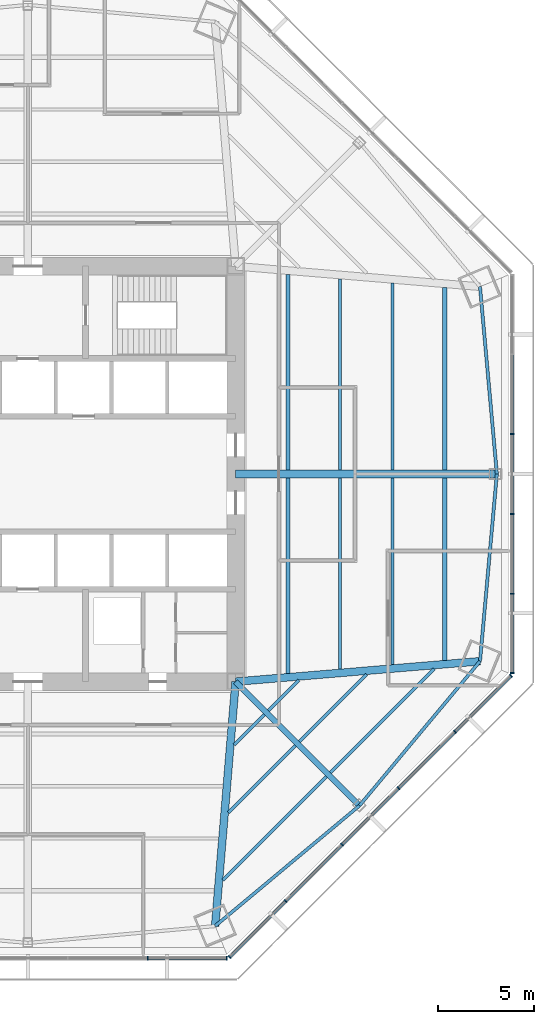
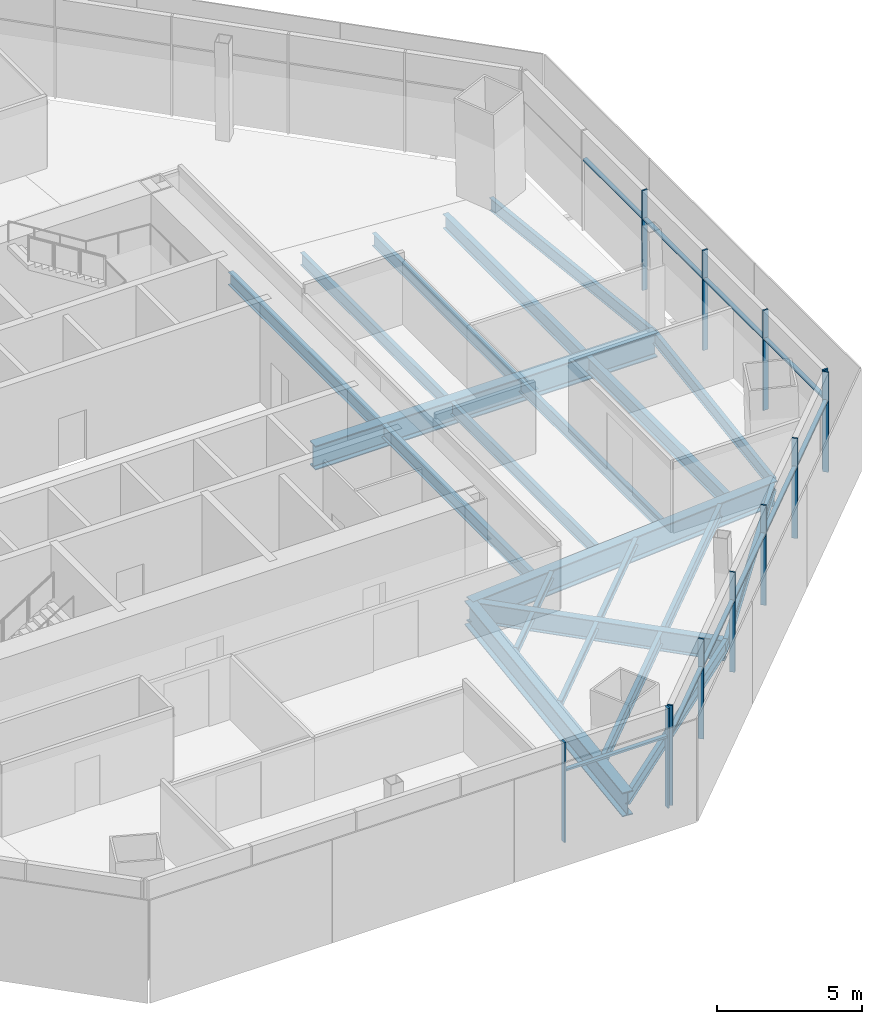
# One storey, part 4 of 16: 22 beams, 22 members, 3 elements without a shape of their own.
"""IFC4 building model written with IfcOpenShell, lengths in metres."""

from ifc_helpers import new_model, si_unit, direction, frame, origin, origin_2d, place, context, subcontext, project, spatial, rectangle, i_section, extrude, source, transform, mapped, material, material_profile, profile_set, type_object, type_shapes, element, aggregate, save


model = new_model("IFC4")

# Units and contexts
model_context = context("Model", 3, precision=1e-05, world=origin(), true_north=direction((0.0, 1.0)))
body_context = subcontext(model_context, "Body", "Model", "MODEL_VIEW")
ifc_project = project(units=[si_unit("LENGTHUNIT", "METRE"), si_unit("AREAUNIT", "SQUARE_METRE"), si_unit("VOLUMEUNIT", "CUBIC_METRE"), si_unit("PLANEANGLEUNIT", "RADIAN"), si_unit("MASSUNIT", "GRAM", prefix="KILO")], contexts=[model_context])

# Site, building, storey
site_placement = place(None, origin())
site = spatial("IfcSite", under=ifc_project, at=site_placement, CompositionType="ELEMENT")
building_placement = place(site_placement, origin())
building = spatial("IfcBuilding", under=site, at=building_placement, Name="Mashrafa Tower", CompositionType="ELEMENT")
storey_placement = place(building_placement, frame((0.0, 0.0, 100.199951171875)))
storey = spatial("IfcBuildingStorey", under=building, at=storey_placement, Name="L22", CompositionType="ELEMENT", Elevation=100.199951171875)

# Beams
ifc_material_1 = material(Name="Steel ASTM A992", Category="steel")
ifc_material_profile_1 = material_profile(ifc_material_1, i_section(OverallWidth=0.164794921875, OverallDepth=0.309814453125, WebThickness=0.005859375, FlangeThickness=0.009765625, FilletRadius=0.007568359375, at=origin_2d()), Name="W12X26")
ifc_profile_set_1 = profile_set([ifc_material_profile_1], Name="Steel ASTM A992")
beam_type_1 = type_object("IfcBeamType", Name="Beam W12X26", PredefinedType="BEAM", material=ifc_profile_set_1)
beam_1_placement = place(storey_placement, frame((12.307373046875, -12.513916015625, -0.31982421875), z_axis=(-0.707106781187, -0.707106781187, 0.0), x_axis=(0.707106781187, -0.707106781187, 0.0)))
element("IfcBeam", 1, at=beam_1_placement, inside=storey, type_object=beam_type_1, Name="Floor beam L22 040", PredefinedType="BEAM", context=body_context, shape_type="SweptSolid", body=[
    extrude(i_section(OverallWidth=0.164794921875, OverallDepth=0.309814453125, WebThickness=0.005859375, FlangeThickness=0.009765625, FilletRadius=0.007568359375, at=origin_2d()), origin(), (0.0, 0.0, 1.0), 2.237060546875),
])
beam_2_placement = place(storey_placement, frame((13.918212890625, -14.124755859375, -0.31982421875), z_axis=(-0.707131536794, -0.707082024713, 0.0), x_axis=(0.707082024713, -0.707131536794, 0.0)))
element("IfcBeam", 2, at=beam_2_placement, inside=storey, type_object=beam_type_1, Name="Floor beam L22 044", PredefinedType="BEAM", context=body_context, shape_type="SweptSolid", body=[
    extrude(i_section(OverallWidth=0.164794921875, OverallDepth=0.309814453125, WebThickness=0.005859375, FlangeThickness=0.009765625, FilletRadius=0.007568359375, at=origin_2d()), origin(), (0.0, 0.0, 1.0), 4.930908203125),
])
beam_3_placement = place(storey_placement, frame((14.095703125, -10.7255859375, -0.31982421875), z_axis=(-0.707106781187, -0.707106781187, 0.0), x_axis=(0.707106781187, -0.707106781187, 0.0)))
element("IfcBeam", 3, at=beam_3_placement, inside=storey, type_object=beam_type_1, Name="Floor beam L22 046", PredefinedType="BEAM", context=body_context, shape_type="SweptSolid", body=[
    extrude(i_section(OverallWidth=0.164794921875, OverallDepth=0.309814453125, WebThickness=0.005859375, FlangeThickness=0.009765625, FilletRadius=0.007568359375, at=origin_2d()), origin(), (0.0, 0.0, 1.0), 2.237060546875),
])
beam_4_placement = place(storey_placement, frame((17.611328125, -10.431396484375, -0.31982421875), z_axis=(-0.707082024713, -0.707131536794, 0.0), x_axis=(0.707131536794, -0.707082024713, 0.0)))
element("IfcBeam", 4, at=beam_4_placement, inside=storey, type_object=beam_type_1, Name="Floor beam L22 051", PredefinedType="BEAM", context=body_context, shape_type="SweptSolid", body=[
    extrude(i_section(OverallWidth=0.164794921875, OverallDepth=0.309814453125, WebThickness=0.005859375, FlangeThickness=0.009765625, FilletRadius=0.007568359375, at=origin_2d()), origin(), (0.0, 0.0, 1.0), 4.930908203125),
])
ifc_material_2 = material(Name="Steel ASTM A992", Category="steel")
ifc_material_profile_2 = material_profile(ifc_material_2, i_section(OverallWidth=0.1650390625, OverallDepth=0.52587890625, WebThickness=0.0087890625, FlangeThickness=0.011474609375, FilletRadius=0.0126953125, at=origin_2d()), Name="W21X44")
ifc_profile_set_2 = profile_set([ifc_material_profile_2], Name="Steel ASTM A992")
beam_type_2 = type_object("IfcBeamType", Name="Beam W21X44", PredefinedType="BEAM", material=ifc_profile_set_2)
beam_5_placement = place(storey_placement, frame((15.52880859375, -15.7353515625, -0.427734375), z_axis=(-0.707122790849, -0.707090771161, 0.0), x_axis=(0.707090771161, -0.707122790849, 0.0)))
element("IfcBeam", 5, at=beam_5_placement, inside=storey, type_object=beam_type_2, Name="Floor beam L22 047", PredefinedType="BEAM", context=body_context, shape_type="SweptSolid", body=[
    extrude(i_section(OverallWidth=0.1650390625, OverallDepth=0.52587890625, WebThickness=0.0087890625, FlangeThickness=0.011474609375, FilletRadius=0.0126953125, at=origin_2d()), origin(), (0.0, 0.0, 1.0), 7.624755859375),
])
for number, where, z_axis, x_axis, name in (
    (6, (18.950927734375, -0.20068359375, -0.427734375), (0.0, -1.0, 0.0), (1.0, 0.0, 0.0), "Floor beam L22 052"),
    (7, (18.950927734375, 9.91650390625, -0.427734375), (0.0, -1.0, 0.0), (1.0, 0.0, 0.0), "Floor beam L22 053"),
):
    element("IfcBeam", number, at=place(storey_placement, frame(where, z_axis=z_axis, x_axis=x_axis)), inside=storey, type_object=beam_type_2, Name=name, PredefinedType="BEAM", context=body_context, shape_type="SweptSolid", body=[
        extrude(i_section(OverallWidth=0.1650390625, OverallDepth=0.52587890625, WebThickness=0.0087890625, FlangeThickness=0.011474609375, FilletRadius=0.0126953125, at=origin_2d()), origin(), (0.0, 0.0, 1.0), 9.7158203125),
    ])
beam_6_placement = place(storey_placement, frame((21.126708984375, -10.13720703125, -0.427734375), z_axis=(-0.707090771161, -0.707122790849, 0.0), x_axis=(0.707122790849, -0.707090771161, 0.0)))
element("IfcBeam", 8, at=beam_6_placement, inside=storey, type_object=beam_type_2, Name="Floor beam L22 054", PredefinedType="BEAM", context=body_context, shape_type="SweptSolid", body=[
    extrude(i_section(OverallWidth=0.1650390625, OverallDepth=0.52587890625, WebThickness=0.0087890625, FlangeThickness=0.011474609375, FilletRadius=0.0126953125, at=origin_2d()), origin(), (0.0, 0.0, 1.0), 7.624755859375),
])
ifc_material_3 = material(Name="Steel ASTM A992", Category="steel")
ifc_material_profile_3 = material_profile(ifc_material_3, i_section(OverallWidth=0.165771484375, OverallDepth=0.5283203125, WebThickness=0.009765625, FlangeThickness=0.013671875, FilletRadius=0.012939453125, at=origin_2d()), Name="W21X50")
ifc_profile_set_3 = profile_set([ifc_material_profile_3], Name="Steel ASTM A992")
beam_type_3 = type_object("IfcBeamType", Name="Beam W21X50", PredefinedType="BEAM", material=ifc_profile_set_3)
for number, where, z_axis, x_axis, name in (
    (9, (16.23388671875, -0.20068359375, -0.42919921875), (0.0, -1.0, 0.0), (1.0, 0.0, 0.0), "Floor beam L22 049"),
    (10, (16.23388671875, 10.143798828125, -0.42919921875), (0.0, -1.0, 0.0), (1.0, 0.0, 0.0), "Floor beam L22 050"),
):
    element("IfcBeam", number, at=place(storey_placement, frame(where, z_axis=z_axis, x_axis=x_axis)), inside=storey, type_object=beam_type_3, Name=name, PredefinedType="BEAM", context=body_context, shape_type="SweptSolid", body=[
        extrude(i_section(OverallWidth=0.165771484375, OverallDepth=0.5283203125, WebThickness=0.009765625, FlangeThickness=0.013671875, FilletRadius=0.012939453125, at=origin_2d()), origin(), (0.0, 0.0, 1.0), 9.943115234375),
    ])
for number, where, z_axis, x_axis, name in (
    (11, (9.73681640625, -23.506591796875, -0.42919921875), (0.76776666126, 0.640729548138, 0.0), (-0.640729548138, 0.76776666126, 0.0), "Spandrel beam L22 082"),
    (12, (17.24267578125, -17.24267578125, -0.42919921875), (0.640729548138, 0.76776666126, 0.0), (-0.76776666126, 0.640729548138, 0.0), "Spandrel beam L22 084"),
):
    element("IfcBeam", number, at=place(storey_placement, frame(where, z_axis=z_axis, x_axis=x_axis)), inside=storey, type_object=beam_type_3, Name=name, PredefinedType="BEAM", context=body_context, shape_type="SweptSolid", body=[
        extrude(i_section(OverallWidth=0.165771484375, OverallDepth=0.5283203125, WebThickness=0.009765625, FlangeThickness=0.013671875, FilletRadius=0.012939453125, at=origin_2d()), origin(), (0.0, 0.0, 1.0), 9.776123046875),
    ])
for number, where, z_axis, x_axis, name in (
    (13, (23.506591796875, -9.73681640625, -0.42919921875), (0.089851231184, 0.995955197915, 0.0), (-0.995955197915, 0.089851231184, 0.0), "Spandrel beam L22 086"),
    (14, (24.385009765625, 0.0, -0.42919921875), (-0.089851231184, 0.995955197915, 0.0), (-0.995955197915, -0.089851231184, 0.0), "Spandrel beam L22 088"),
):
    element("IfcBeam", number, at=place(storey_placement, frame(where, z_axis=z_axis, x_axis=x_axis)), inside=storey, type_object=beam_type_3, Name=name, PredefinedType="BEAM", context=body_context, shape_type="SweptSolid", body=[
        extrude(i_section(OverallWidth=0.165771484375, OverallDepth=0.5283203125, WebThickness=0.009765625, FlangeThickness=0.013671875, FilletRadius=0.012939453125, at=origin_2d()), origin(), (0.0, 0.0, 1.0), 9.7763671875),
    ])
ifc_material_4 = material(Name="Steel ASTM A992", Category="steel")
ifc_material_profile_4 = material_profile(ifc_material_4, i_section(OverallWidth=0.209228515625, OverallDepth=0.533447265625, WebThickness=0.01025390625, FlangeThickness=0.015625, FilletRadius=0.012939453125, at=origin_2d()), Name="W21X62")
ifc_profile_set_4 = profile_set([ifc_material_profile_4], Name="Steel ASTM A992")
beam_type_4 = type_object("IfcBeamType", Name="Beam W21X62", PredefinedType="BEAM", material=ifc_profile_set_4)
for number, where, z_axis, x_axis, name in (
    (15, (13.51708984375, -0.20068359375, -0.431640625), (0.0, -1.0, 0.0), (1.0, 0.0, 0.0), "Floor beam L22 042"),
    (16, (13.51708984375, 10.371337890625, -0.431640625), (0.0, -1.0, 0.0), (1.0, 0.0, 0.0), "Floor beam L22 043"),
):
    element("IfcBeam", number, at=place(storey_placement, frame(where, z_axis=z_axis, x_axis=x_axis)), inside=storey, type_object=beam_type_4, Name=name, PredefinedType="BEAM", context=body_context, shape_type="SweptSolid", body=[
        extrude(i_section(OverallWidth=0.209228515625, OverallDepth=0.533447265625, WebThickness=0.01025390625, FlangeThickness=0.015625, FilletRadius=0.012939453125, at=origin_2d()), origin(), (0.0, 0.0, 1.0), 10.170654296875),
    ])
ifc_material_5 = material(Name="Steel ASTM A992", Category="steel")
ifc_material_profile_5 = material_profile(ifc_material_5, i_section(OverallWidth=0.227783203125, OverallDepth=0.60205078125, WebThickness=0.010498046875, FlangeThickness=0.014892578125, FilletRadius=0.012939453125, at=origin_2d()), Name="W24X68")
ifc_profile_set_5 = profile_set([ifc_material_profile_5], Name="Steel ASTM A992")
beam_type_5 = type_object("IfcBeamType", Name="Beam W24X68", PredefinedType="BEAM", material=ifc_profile_set_5)
for number, where, z_axis, x_axis, name in (
    (17, (21.66796875, -0.20068359375, -0.4658203125), (0.0, -1.0, 0.0), (1.0, 0.0, 0.0), "Floor beam L22 055"),
    (18, (21.66796875, 9.689208984375, -0.4658203125), (0.0, -1.0, 0.0), (1.0, 0.0, 0.0), "Floor beam L22 056"),
):
    element("IfcBeam", number, at=place(storey_placement, frame(where, z_axis=z_axis, x_axis=x_axis)), inside=storey, type_object=beam_type_5, Name=name, PredefinedType="BEAM", context=body_context, shape_type="SweptSolid", body=[
        extrude(i_section(OverallWidth=0.227783203125, OverallDepth=0.60205078125, WebThickness=0.010498046875, FlangeThickness=0.014892578125, FilletRadius=0.012939453125, at=origin_2d()), origin(), (0.0, 0.0, 1.0), 9.488525390625),
    ])
ifc_material_6 = material(Name="Steel ASTM A992", Category="steel")
ifc_material_profile_6 = material_profile(ifc_material_6, i_section(OverallWidth=0.2919921875, OverallDepth=0.845703125, WebThickness=0.015380859375, FlangeThickness=0.0244140625, FilletRadius=0.017333984375, at=origin_2d()), Name="W33X141")
ifc_profile_set_6 = profile_set([ifc_material_profile_6], Name="Steel ASTM A992")
beam_type_6 = type_object("IfcBeamType", Name="Beam W33X141", PredefinedType="BEAM", material=ifc_profile_set_6)
beam_7_placement = place(storey_placement, frame((10.800048828125, -10.800048828125, -0.587890625), z_axis=(0.707106781187, -0.707106781187, 0.0), x_axis=(0.707106781187, 0.707106781187, 0.0)))
element("IfcBeam", 19, at=beam_7_placement, inside=storey, type_object=beam_type_6, Name="Radial girder L22 067", PredefinedType="BEAM", context=body_context, shape_type="SweptSolid", body=[
    extrude(i_section(OverallWidth=0.2919921875, OverallDepth=0.845703125, WebThickness=0.015380859375, FlangeThickness=0.0244140625, FilletRadius=0.017333984375, at=origin_2d()), origin(), (0.0, 0.0, 1.0), 9.111328125),
])
ifc_material_7 = material(Name="Steel ASTM A992", Category="steel")
ifc_material_profile_7 = material_profile(ifc_material_7, i_section(OverallWidth=0.4013671875, OverallDepth=1.010986328125, WebThickness=0.023681640625, FlangeThickness=0.0419921875, FilletRadius=0.02001953125, at=origin_2d()), Name="W40X297")
ifc_profile_set_7 = profile_set([ifc_material_profile_7], Name="Steel ASTM A992")
beam_type_7 = type_object("IfcBeamType", Name="Beam W40X297", PredefinedType="BEAM", material=ifc_profile_set_7)
for number, where, z_axis, x_axis, name in (
    (20, (10.800048828125, -10.800048828125, -0.67041015625), (-0.083384572528, -0.996517442429, 0.0), (0.996517442429, -0.083384572528, 0.0), "Radial girder L22 066"),
    (21, (10.800048828125, -10.800048828125, -0.67041015625), (0.996517442429, 0.083384572528, 0.0), (-0.083384572528, 0.996517442429, 0.0), "Radial girder L22 068"),
):
    element("IfcBeam", number, at=place(storey_placement, frame(where, z_axis=z_axis, x_axis=x_axis)), inside=storey, type_object=beam_type_7, Name=name, PredefinedType="BEAM", context=body_context, shape_type="SweptSolid", body=[
        extrude(i_section(OverallWidth=0.4013671875, OverallDepth=1.010986328125, WebThickness=0.023681640625, FlangeThickness=0.0419921875, FilletRadius=0.02001953125, at=origin_2d()), origin(), (0.0, 0.0, 1.0), 12.7509765625),
    ])
beam_8_placement = place(storey_placement, frame((10.800048828125, 0.0, -0.67041015625), z_axis=(1.0, 0.0, 0.0), x_axis=(0.0, 1.0, 0.0)))
element("IfcBeam", 22, at=beam_8_placement, inside=storey, type_object=beam_type_7, Name="Radial girder L22 069", PredefinedType="BEAM", context=body_context, shape_type="SweptSolid", body=[
    extrude(i_section(OverallWidth=0.4013671875, OverallDepth=1.010986328125, WebThickness=0.023681640625, FlangeThickness=0.0419921875, FilletRadius=0.02001953125, at=origin_2d()), origin(), (0.0, 0.0, 1.0), 13.5849609375),
])

# Curtain wall, members
ifc_material_8 = material(Name="Unitised aluminium curtain wall", Category="aluminium")
curtain_wall_type = type_object("IfcCurtainWallType", Name="Office curtain wall, zone 1 CW-A 200 deep", PredefinedType="NOTDEFINED", material=ifc_material_8)
curtain_wall_1_placement = place(storey_placement, origin())
curtain_wall_1 = element("IfcCurtainWall", 23, at=curtain_wall_1_placement, inside=storey, type_object=curtain_wall_type, Name="Office curtain wall, zone 1 L22 east", PredefinedType="NOTDEFINED")
ifc_material_9 = material(Name="Extruded aluminium mullion", Category="aluminium")
ifc_material_profile_8 = material_profile(ifc_material_9, rectangle(XDim=0.199951171875, YDim=0.06494140625, at=origin_2d()), Name="Mullion 65x200")
ifc_profile_set_8 = profile_set([ifc_material_profile_8], Name="Extruded aluminium mullion")
member_type_1 = type_object("IfcMemberType", Name="Mullion CW-A 65 x 200", PredefinedType="MULLION", material=ifc_profile_set_8)
shared_shape_1 = source(origin(), body_context, "Body", "SweptSolid", [
    extrude(rectangle(XDim=0.199951171875, YDim=0.06494140625, at=origin_2d()), origin(), (0.0, 0.0, 1.0), 4.199951171875),
])
type_shapes(member_type_1, [shared_shape_1])
member_1_placement = place(storey_placement, frame((25.18017578125, -10.345947265625, 0.0), z_axis=(0.0, 0.0, 1.0), x_axis=(-1.0, 0.0, 0.0)))
member_1 = element("IfcMember", 24, at=member_1_placement, type_object=member_type_1, Name="CW-A mullion 1", PredefinedType="MULLION", context=body_context, shape_type="MappedRepresentation", body=[
    mapped(shared_shape_1, transform((0.0, 0.0, 0.0))),
])
member_2_placement = place(storey_placement, frame((25.18017578125, -6.22705078125, 0.0), z_axis=(0.0, 0.0, 1.0), x_axis=(-1.0, 0.0, 0.0)))
member_2 = element("IfcMember", 25, at=member_2_placement, type_object=member_type_1, Name="CW-A mullion 2", PredefinedType="MULLION", context=body_context, shape_type="MappedRepresentation", body=[
    mapped(shared_shape_1, transform((0.0, 0.0, 0.0))),
])
member_3_placement = place(storey_placement, frame((25.18017578125, -2.07568359375, 0.0), z_axis=(0.0, 0.0, 1.0), x_axis=(-1.0, 0.0, 0.0)))
member_3 = element("IfcMember", 26, at=member_3_placement, type_object=member_type_1, Name="CW-A mullion 3", PredefinedType="MULLION", context=body_context, shape_type="MappedRepresentation", body=[
    mapped(shared_shape_1, transform((0.0, 0.0, 0.0))),
])
member_4_placement = place(storey_placement, frame((25.18017578125, 2.07568359375, 0.0), z_axis=(0.0, 0.0, 1.0), x_axis=(-1.0, 0.0, 0.0)))
member_4 = element("IfcMember", 27, at=member_4_placement, type_object=member_type_1, Name="CW-A mullion 4", PredefinedType="MULLION", context=body_context, shape_type="MappedRepresentation", body=[
    mapped(shared_shape_1, transform((0.0, 0.0, 0.0))),
])

curtain_wall_2_placement = place(storey_placement, origin())
curtain_wall_2 = element("IfcCurtainWall", 28, at=curtain_wall_2_placement, inside=storey, type_object=curtain_wall_type, Name="Office curtain wall, zone 1 L22 south", PredefinedType="NOTDEFINED")
member_5_placement = place(storey_placement, frame((6.22705078125, -25.18017578125, 0.0), z_axis=(0.0, 0.0, 1.0), x_axis=(0.0, 1.0, 0.0)))
member_5 = element("IfcMember", 29, at=member_5_placement, type_object=member_type_1, Name="CW-A mullion 5", PredefinedType="MULLION", context=body_context, shape_type="MappedRepresentation", body=[
    mapped(shared_shape_1, transform((0.0, 0.0, 0.0))),
])
member_6_placement = place(storey_placement, frame((10.345947265625, -25.18017578125, 0.0), z_axis=(0.0, 0.0, 1.0), x_axis=(0.0, 1.0, 0.0)))
member_6 = element("IfcMember", 30, at=member_6_placement, type_object=member_type_1, Name="CW-A mullion 6", PredefinedType="MULLION", context=body_context, shape_type="MappedRepresentation", body=[
    mapped(shared_shape_1, transform((0.0, 0.0, 0.0))),
])

curtain_wall_3_placement = place(storey_placement, origin())
curtain_wall_3 = element("IfcCurtainWall", 31, at=curtain_wall_3_placement, inside=storey, type_object=curtain_wall_type, Name="Office curtain wall, zone 1 L22 south-east", PredefinedType="NOTDEFINED")
member_7_placement = place(storey_placement, frame((10.4892578125, -25.120849609375, 0.0), z_axis=(0.0, 0.0, 1.0), x_axis=(-0.707106781187, 0.707106781187, 0.0)))
member_7 = element("IfcMember", 32, at=member_7_placement, type_object=member_type_1, Name="CW-A mullion 1", PredefinedType="MULLION", context=body_context, shape_type="MappedRepresentation", body=[
    mapped(shared_shape_1, transform((0.0, 0.0, 0.0))),
])
member_8_placement = place(storey_placement, frame((13.40185546875, -22.208251953125, 0.0), z_axis=(0.0, 0.0, 1.0), x_axis=(-0.707106781187, 0.707106781187, 0.0)))
member_8 = element("IfcMember", 33, at=member_8_placement, type_object=member_type_1, Name="CW-A mullion 2", PredefinedType="MULLION", context=body_context, shape_type="MappedRepresentation", body=[
    mapped(shared_shape_1, transform((0.0, 0.0, 0.0))),
])
member_9_placement = place(storey_placement, frame((16.33740234375, -19.27294921875, 0.0), z_axis=(0.0, 0.0, 1.0), x_axis=(-0.707106781187, 0.707106781187, 0.0)))
member_9 = element("IfcMember", 34, at=member_9_placement, type_object=member_type_1, Name="CW-A mullion 3", PredefinedType="MULLION", context=body_context, shape_type="MappedRepresentation", body=[
    mapped(shared_shape_1, transform((0.0, 0.0, 0.0))),
])
member_10_placement = place(storey_placement, frame((19.27294921875, -16.33740234375, 0.0), z_axis=(0.0, 0.0, 1.0), x_axis=(-0.707106781187, 0.707106781187, 0.0)))
member_10 = element("IfcMember", 35, at=member_10_placement, type_object=member_type_1, Name="CW-A mullion 4", PredefinedType="MULLION", context=body_context, shape_type="MappedRepresentation", body=[
    mapped(shared_shape_1, transform((0.0, 0.0, 0.0))),
])
member_11_placement = place(storey_placement, frame((22.208251953125, -13.40185546875, 0.0), z_axis=(0.0, 0.0, 1.0), x_axis=(-0.707106781187, 0.707106781187, 0.0)))
member_11 = element("IfcMember", 36, at=member_11_placement, type_object=member_type_1, Name="CW-A mullion 5", PredefinedType="MULLION", context=body_context, shape_type="MappedRepresentation", body=[
    mapped(shared_shape_1, transform((0.0, 0.0, 0.0))),
])
member_12_placement = place(storey_placement, frame((25.120849609375, -10.4892578125, 0.0), z_axis=(0.0, 0.0, 1.0), x_axis=(-0.707106781187, 0.707106781187, 0.0)))
member_12 = element("IfcMember", 37, at=member_12_placement, type_object=member_type_1, Name="CW-A mullion 6", PredefinedType="MULLION", context=body_context, shape_type="MappedRepresentation", body=[
    mapped(shared_shape_1, transform((0.0, 0.0, 0.0))),
])

# Member
ifc_material_10 = material(Name="Extruded aluminium transom", Category="aluminium")
ifc_material_profile_9 = material_profile(ifc_material_10, rectangle(XDim=0.159912109375, YDim=0.080078125, at=origin_2d()), Name="Transom 80x160")
ifc_profile_set_9 = profile_set([ifc_material_profile_9], Name="Extruded aluminium transom")
member_type_2 = type_object("IfcMemberType", Name="Transom CW-A 80 x 160", PredefinedType="MULLION", material=ifc_profile_set_9)
shared_shape_2 = source(origin(), body_context, "Body", "SweptSolid", [
    extrude(rectangle(XDim=0.159912109375, YDim=0.080078125, at=origin_2d()), origin(), (0.0, 0.0, 1.0), 4.053955078125),
])
member_13_placement = place(storey_placement, frame((25.18017578125, -10.3134765625, 3.0), z_axis=(0.0, 1.0, 0.0), x_axis=(-1.0, 0.0, 0.0)))
member_13 = element("IfcMember", 38, at=member_13_placement, type_object=member_type_2, Name="CW-A transom 1", PredefinedType="MULLION", context=body_context, shape_type="MappedRepresentation", body=[
    mapped(shared_shape_2, transform((0.0, 0.0, 0.0))),
])

member_14_placement = place(storey_placement, frame((6.259521484375, -25.18017578125, 3.0), z_axis=(1.0, 0.0, 0.0), x_axis=(0.0, 1.0, 0.0)))
member_14 = element("IfcMember", 39, at=member_14_placement, type_object=member_type_2, Name="CW-A transom 5", PredefinedType="MULLION", context=body_context, shape_type="MappedRepresentation", body=[
    mapped(shared_shape_2, transform((0.0, 0.0, 0.0))),
])

aggregate(curtain_wall_2, [member_5, member_6, member_14])

shared_shape_3 = source(origin(), body_context, "Body", "SweptSolid", [
    extrude(rectangle(XDim=0.159912109375, YDim=0.080078125, at=origin_2d()), origin(), (0.0, 0.0, 1.0), 4.08642578125),
])
member_15_placement = place(storey_placement, frame((25.18017578125, -6.194580078125, 3.0), z_axis=(0.0, 1.0, 0.0), x_axis=(-1.0, 0.0, 0.0)))
member_15 = element("IfcMember", 40, at=member_15_placement, type_object=member_type_2, Name="CW-A transom 2", PredefinedType="MULLION", context=body_context, shape_type="MappedRepresentation", body=[
    mapped(shared_shape_3, transform((0.0, 0.0, 0.0))),
])

member_16_placement = place(storey_placement, frame((25.18017578125, -2.043212890625, 3.0), z_axis=(0.0, 1.0, 0.0), x_axis=(-1.0, 0.0, 0.0)))
member_16 = element("IfcMember", 41, at=member_16_placement, type_object=member_type_2, Name="CW-A transom 3", PredefinedType="MULLION", context=body_context, shape_type="MappedRepresentation", body=[
    mapped(shared_shape_3, transform((0.0, 0.0, 0.0))),
])

member_17_placement = place(storey_placement, frame((25.18017578125, 2.108154296875, 3.0), z_axis=(0.0, 1.0, 0.0), x_axis=(-1.0, 0.0, 0.0)))
member_17 = element("IfcMember", 42, at=member_17_placement, type_object=member_type_2, Name="CW-A transom 4", PredefinedType="MULLION", context=body_context, shape_type="MappedRepresentation", body=[
    mapped(shared_shape_3, transform((0.0, 0.0, 0.0))),
])

aggregate(curtain_wall_1, [member_1, member_2, member_3, member_4, member_13, member_15, member_16, member_17])

member_18_placement = place(storey_placement, frame((13.4248046875, -22.185302734375, 3.0), z_axis=(0.707136652837, 0.707076908274, 0.0), x_axis=(-0.707076908274, 0.707136652837, 0.0)))
member_18 = element("IfcMember", 43, at=member_18_placement, type_object=member_type_2, Name="CW-A transom 2", PredefinedType="MULLION", context=body_context, shape_type="MappedRepresentation", body=[
    mapped(shared_shape_3, transform((0.0, 0.0, 0.0))),
])

member_19_placement = place(storey_placement, frame((19.2958984375, -16.314453125, 3.0), z_axis=(0.707076908274, 0.707136652837, 0.0), x_axis=(-0.707136652837, 0.707076908274, 0.0)))
member_19 = element("IfcMember", 44, at=member_19_placement, type_object=member_type_2, Name="CW-A transom 4", PredefinedType="MULLION", context=body_context, shape_type="MappedRepresentation", body=[
    mapped(shared_shape_3, transform((0.0, 0.0, 0.0))),
])

shared_shape_4 = source(origin(), body_context, "Body", "SweptSolid", [
    extrude(rectangle(XDim=0.159912109375, YDim=0.080078125, at=origin_2d()), origin(), (0.0, 0.0, 1.0), 4.05419921875),
])
member_20_placement = place(storey_placement, frame((10.51220703125, -25.097900390625, 3.0), z_axis=(0.707106781187, 0.707106781187, 0.0), x_axis=(-0.707106781187, 0.707106781187, 0.0)))
member_20 = element("IfcMember", 45, at=member_20_placement, type_object=member_type_2, Name="CW-A transom 1", PredefinedType="MULLION", context=body_context, shape_type="MappedRepresentation", body=[
    mapped(shared_shape_4, transform((0.0, 0.0, 0.0))),
])

member_21_placement = place(storey_placement, frame((22.231201171875, -13.37890625, 3.0), z_axis=(0.707106781187, 0.707106781187, 0.0), x_axis=(-0.707106781187, 0.707106781187, 0.0)))
member_21 = element("IfcMember", 46, at=member_21_placement, type_object=member_type_2, Name="CW-A transom 5", PredefinedType="MULLION", context=body_context, shape_type="MappedRepresentation", body=[
    mapped(shared_shape_4, transform((0.0, 0.0, 0.0))),
])

shared_shape_5 = source(origin(), body_context, "Body", "SweptSolid", [
    extrude(rectangle(XDim=0.159912109375, YDim=0.080078125, at=origin_2d()), origin(), (0.0, 0.0, 1.0), 4.086181640625),
])
type_shapes(member_type_2, [shared_shape_2, shared_shape_3, shared_shape_4, shared_shape_5])
member_22_placement = place(storey_placement, frame((16.3603515625, -19.249755859375, 3.0), z_axis=(0.707106781187, 0.707106781187, 0.0), x_axis=(-0.707106781187, 0.707106781187, 0.0)))
member_22 = element("IfcMember", 47, at=member_22_placement, type_object=member_type_2, Name="CW-A transom 3", PredefinedType="MULLION", context=body_context, shape_type="MappedRepresentation", body=[
    mapped(shared_shape_5, transform((0.0, 0.0, 0.0))),
])

aggregate(curtain_wall_3, [member_7, member_8, member_9, member_10, member_11, member_12, member_20, member_18, member_22, member_19, member_21])

save(model, "model.ifc")
